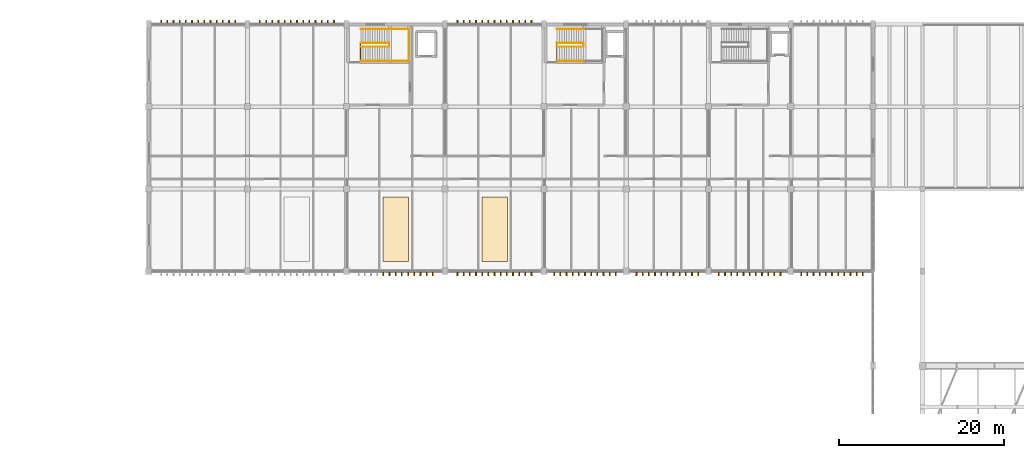
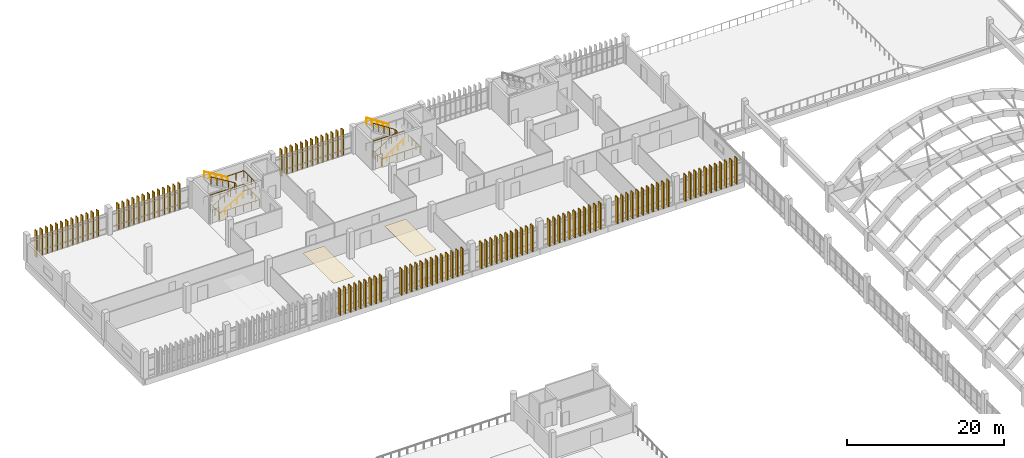
# One storey, part 110 of 111: 105 shading devices, 9 railings, 2 coverings.
"""IFC4 building model written with IfcOpenShell, lengths in metres."""

from ifc_helpers import new_model, si_unit, direction, frame, origin, origin_2d, place, context, subcontext, project, spatial, polyline, rectangle, circle, outline, extrude, material, layer, layer_set, type_object, element, save


model = new_model("IFC4")

# Units and contexts
model_context = context("Model", 3, precision=1e-05, world=origin(), true_north=direction((0.0, 1.0)))
body_context = subcontext(model_context, "Body", "Model", "MODEL_VIEW")
ifc_project = project(units=[si_unit("LENGTHUNIT", "METRE"), si_unit("AREAUNIT", "SQUARE_METRE"), si_unit("VOLUMEUNIT", "CUBIC_METRE"), si_unit("PLANEANGLEUNIT", "RADIAN"), si_unit("MASSUNIT", "GRAM", prefix="KILO")], contexts=[model_context])

# Site, building, storey
site_placement = place(None, origin())
site = spatial("IfcSite", under=ifc_project, at=site_placement, CompositionType="ELEMENT")
building_placement = place(site_placement, origin())
building = spatial("IfcBuilding", under=site, at=building_placement, Name="Mersad Railyard Sports Hall", CompositionType="ELEMENT")
storey_placement = place(building_placement, frame((0.0, 0.0, 9.0)))
storey = spatial("IfcBuildingStorey", under=building, at=storey_placement, Name="L02", CompositionType="ELEMENT", Elevation=9.0)

# Coverings
ifc_material_1 = material(Name="Gypsum plasterboard", Category="gypsum")
ifc_layer = layer(ifc_material_1, 0.02490234375)
ifc_layer_set = layer_set([ifc_layer], Name="Gypsum plasterboard")
covering_type = type_object("IfcCoveringType", Name="ARC-CV-CL01", PredefinedType="CEILING", material=ifc_layer_set)
covering_1_placement = place(storey_placement, frame((0.0, 0.0, 3.85498046875)))
element("IfcCovering", 1, at=covering_1_placement, inside=storey, type_object=covering_type, Name="Acoustic ceiling panel 008", PredefinedType="CEILING", context=body_context, shape_type="SweptSolid", body=[
    extrude(outline(polyline([(71.449951171875, 86.199951171875), (74.550048828125, 86.199951171875), (74.550048828125, 94.0), (71.449951171875, 94.0), (71.449951171875, 86.199951171875)])), origin(), (0.0, 0.0, 1.0), 0.02490234375),
])
covering_2_placement = place(storey_placement, frame((0.0, 0.0, 3.85498046875)))
element("IfcCovering", 2, at=covering_2_placement, inside=storey, type_object=covering_type, Name="Acoustic ceiling panel 009", PredefinedType="CEILING", context=body_context, shape_type="SweptSolid", body=[
    extrude(outline(polyline([(83.449951171875, 86.199951171875), (86.550048828125, 86.199951171875), (86.550048828125, 94.0), (83.449951171875, 94.0), (83.449951171875, 86.199951171875)])), origin(), (0.0, 0.0, 1.0), 0.02490234375),
])

# Railings
ifc_material_2 = material(Name="Steel S355", Category="steel")
railing_type_1 = type_object("IfcRailingType", Name="ARC-RL-GR01", PredefinedType="GUARDRAIL", material=ifc_material_2)
railing_1_placement = place(storey_placement, frame((68.7099609375, 112.7099609375, 0.0)))
element("IfcRailing", 3, at=railing_1_placement, inside=storey, type_object=railing_type_1, Name="Interior guard GR01-0015", PredefinedType="GUARDRAIL", context=body_context, shape_type="SweptSolid", body=[
    extrude(circle(Radius=0.02392578125, at=origin_2d()), frame((0.0, 0.0, 1.09619140625), z_axis=(0.0, -1.0, 0.0), x_axis=(1.0, 0.0, 0.0)), (0.0, 0.0, 1.0), 2.18994140625),
    extrude(circle(Radius=0.02392578125, at=origin_2d()), frame((0.0, -2.18994140625, 1.09619140625), z_axis=(1.0, 0.0, 0.0), x_axis=(0.0, 1.0, 0.0)), (0.0, 0.0, 1.0), 5.919921875),
    extrude(circle(Radius=0.02392578125, at=origin_2d()), frame((5.919921875, -2.18994140625, 1.09619140625), z_axis=(0.0, 1.0, 0.0), x_axis=(-1.0, 0.0, 0.0)), (0.0, 0.0, 1.0), 3.9599609375),
    extrude(circle(Radius=0.02392578125, at=origin_2d()), frame((5.919921875, 1.77001953125, 1.09619140625), z_axis=(-1.0, 0.0, 0.0), x_axis=(0.0, -1.0, 0.0)), (0.0, 0.0, 1.0), 5.919921875),
    extrude(circle(Radius=0.02099609375, at=origin_2d()), origin(), (0.0, 0.0, 1.0), 1.072021484375),
    extrude(circle(Radius=0.02099609375, at=origin_2d()), frame((0.0, -1.094970703125, 0.0)), (0.0, 0.0, 1.0), 1.072021484375),
    extrude(circle(Radius=0.02099609375, at=origin_2d()), frame((0.0, -2.18994140625, 0.0)), (0.0, 0.0, 1.0), 1.072021484375),
    extrude(circle(Radius=0.02099609375, at=origin_2d()), frame((1.18408203125, -2.18994140625, 0.0)), (0.0, 0.0, 1.0), 1.072021484375),
    extrude(circle(Radius=0.02099609375, at=origin_2d()), frame((2.367919921875, -2.18994140625, 0.0)), (0.0, 0.0, 1.0), 1.072021484375),
    extrude(circle(Radius=0.02099609375, at=origin_2d()), frame((3.552001953125, -2.18994140625, 0.0)), (0.0, 0.0, 1.0), 1.072021484375),
    extrude(circle(Radius=0.02099609375, at=origin_2d()), frame((4.73583984375, -2.18994140625, 0.0)), (0.0, 0.0, 1.0), 1.072021484375),
    extrude(circle(Radius=0.02099609375, at=origin_2d()), frame((5.919921875, -2.18994140625, 0.0)), (0.0, 0.0, 1.0), 1.072021484375),
    extrude(circle(Radius=0.02099609375, at=origin_2d()), frame((5.919921875, -1.199951171875, 0.0)), (0.0, 0.0, 1.0), 1.072021484375),
    extrude(circle(Radius=0.02099609375, at=origin_2d()), frame((5.919921875, -0.2099609375, 0.0)), (0.0, 0.0, 1.0), 1.072021484375),
    extrude(circle(Radius=0.02099609375, at=origin_2d()), frame((5.919921875, 0.780029296875, 0.0)), (0.0, 0.0, 1.0), 1.072021484375),
    extrude(circle(Radius=0.02099609375, at=origin_2d()), frame((5.919921875, 1.77001953125, 0.0)), (0.0, 0.0, 1.0), 1.072021484375),
    extrude(circle(Radius=0.02099609375, at=origin_2d()), frame((4.73583984375, 1.77001953125, 0.0)), (0.0, 0.0, 1.0), 1.072021484375),
    extrude(circle(Radius=0.02099609375, at=origin_2d()), frame((3.552001953125, 1.77001953125, 0.0)), (0.0, 0.0, 1.0), 1.072021484375),
    extrude(circle(Radius=0.02099609375, at=origin_2d()), frame((2.367919921875, 1.77001953125, 0.0)), (0.0, 0.0, 1.0), 1.072021484375),
    extrude(circle(Radius=0.02099609375, at=origin_2d()), frame((1.18408203125, 1.77001953125, 0.0)), (0.0, 0.0, 1.0), 1.072021484375),
    extrude(circle(Radius=0.02099609375, at=origin_2d()), frame((0.0, 1.77001953125, 0.0)), (0.0, 0.0, 1.0), 1.072021484375),
])
railing_2_placement = place(storey_placement, frame((68.75, 112.27001953125, 0.0)))
element("IfcRailing", 4, at=railing_2_placement, inside=storey, type_object=railing_type_1, Name="Interior guard GR01-0018", PredefinedType="GUARDRAIL", context=body_context, shape_type="SweptSolid", body=[
    extrude(circle(Radius=0.02392578125, at=origin_2d()), frame((0.0, 0.0, 1.09619140625), z_axis=(0.854592336598, 0.0, 0.519299468735), x_axis=(0.0, 1.0, 0.0)), (0.0, 0.0, 1.0), 4.044189453125),
    extrude(circle(Radius=0.02392578125, at=origin_2d()), frame((3.4560546875, 0.0, 3.1962890625), z_axis=(0.0, 1.0, 0.0), x_axis=(-1.0, 0.0, 0.0)), (0.0, 0.0, 1.0), 0.4599609375),
    extrude(circle(Radius=0.02392578125, at=origin_2d()), frame((3.4560546875, 0.4599609375, 3.1962890625), z_axis=(-0.854619127694, 0.0, 0.519255377034), x_axis=(0.0, -1.0, 0.0)), (0.0, 0.0, 1.0), 4.0439453125),
    extrude(circle(Radius=0.02099609375, at=origin_2d()), origin(), (0.0, 0.0, 1.0), 1.072021484375),
    extrude(circle(Radius=0.02099609375, at=origin_2d()), frame((0.864013671875, 0.0, 0.52490234375)), (0.0, 0.0, 1.0), 1.072021484375),
    extrude(circle(Radius=0.02099609375, at=origin_2d()), frame((1.72802734375, 0.0, 1.050048828125)), (0.0, 0.0, 1.0), 1.072021484375),
    extrude(circle(Radius=0.02099609375, at=origin_2d()), frame((2.592041015625, 0.0, 1.5751953125)), (0.0, 0.0, 1.0), 1.072021484375),
    extrude(circle(Radius=0.02099609375, at=origin_2d()), frame((3.4560546875, 0.0, 2.10009765625)), (0.0, 0.0, 1.0), 1.072021484375),
    extrude(circle(Radius=0.02099609375, at=origin_2d()), frame((3.4560546875, 0.4599609375, 2.10009765625)), (0.0, 0.0, 1.0), 1.072021484375),
    extrude(circle(Radius=0.02099609375, at=origin_2d()), frame((2.592041015625, 0.4599609375, 2.625)), (0.0, 0.0, 1.0), 1.072021484375),
    extrude(circle(Radius=0.02099609375, at=origin_2d()), frame((1.72802734375, 0.4599609375, 3.14990234375)), (0.0, 0.0, 1.0), 1.072021484375),
    extrude(circle(Radius=0.02099609375, at=origin_2d()), frame((0.864013671875, 0.4599609375, 3.675048828125)), (0.0, 0.0, 1.0), 1.072021484375),
    extrude(circle(Radius=0.02099609375, at=origin_2d()), frame((0.0, 0.4599609375, 4.199951171875)), (0.0, 0.0, 1.0), 1.072021484375),
])
railing_3_placement = place(storey_placement, frame((72.2060546875, 110.56005859375, 2.10009765625)))
element("IfcRailing", 5, at=railing_3_placement, inside=storey, type_object=railing_type_1, Name="Interior guard GR01-0019", PredefinedType="GUARDRAIL", context=body_context, shape_type="SweptSolid", body=[
    extrude(circle(Radius=0.02392578125, at=origin_2d()), frame((0.0, 0.0, 1.09619140625), z_axis=(1.0, 0.0, 0.0), x_axis=(0.0, 1.0, 0.0)), (0.0, 0.0, 1.0), 2.384033203125),
    extrude(circle(Radius=0.02392578125, at=origin_2d()), frame((2.384033203125, 0.0, 1.09619140625), z_axis=(0.0, 1.0, 0.0), x_axis=(-1.0, 0.0, 0.0)), (0.0, 0.0, 1.0), 3.8798828125),
    extrude(circle(Radius=0.02392578125, at=origin_2d()), frame((2.384033203125, 3.8798828125, 1.09619140625), z_axis=(-1.0, 0.0, 0.0), x_axis=(0.0, -1.0, 0.0)), (0.0, 0.0, 1.0), 2.384033203125),
    extrude(circle(Radius=0.02099609375, at=origin_2d()), origin(), (0.0, 0.0, 1.0), 1.072021484375),
    extrude(circle(Radius=0.02099609375, at=origin_2d()), frame((1.19189453125, 0.0, 0.0)), (0.0, 0.0, 1.0), 1.072021484375),
    extrude(circle(Radius=0.02099609375, at=origin_2d()), frame((2.384033203125, 0.0, 0.0)), (0.0, 0.0, 1.0), 1.072021484375),
    extrude(circle(Radius=0.02099609375, at=origin_2d()), frame((2.384033203125, 0.969970703125, 0.0)), (0.0, 0.0, 1.0), 1.072021484375),
    extrude(circle(Radius=0.02099609375, at=origin_2d()), frame((2.384033203125, 1.93994140625, 0.0)), (0.0, 0.0, 1.0), 1.072021484375),
    extrude(circle(Radius=0.02099609375, at=origin_2d()), frame((2.384033203125, 2.909912109375, 0.0)), (0.0, 0.0, 1.0), 1.072021484375),
    extrude(circle(Radius=0.02099609375, at=origin_2d()), frame((2.384033203125, 3.8798828125, 0.0)), (0.0, 0.0, 1.0), 1.072021484375),
    extrude(circle(Radius=0.02099609375, at=origin_2d()), frame((1.19189453125, 3.8798828125, 0.0)), (0.0, 0.0, 1.0), 1.072021484375),
    extrude(circle(Radius=0.02099609375, at=origin_2d()), frame((0.0, 3.8798828125, 0.0)), (0.0, 0.0, 1.0), 1.072021484375),
])
railing_4_placement = place(storey_placement, frame((92.56005859375, 112.7099609375, 0.0)))
element("IfcRailing", 6, at=railing_4_placement, inside=storey, type_object=railing_type_1, Name="Interior guard GR01-0045", PredefinedType="GUARDRAIL", context=body_context, shape_type="SweptSolid", body=[
    extrude(circle(Radius=0.02392578125, at=origin_2d()), frame((0.0, 0.0, 1.09619140625), z_axis=(0.0, -1.0, 0.0), x_axis=(1.0, 0.0, 0.0)), (0.0, 0.0, 1.0), 2.18994140625),
    extrude(circle(Radius=0.02392578125, at=origin_2d()), frame((0.0, -2.18994140625, 1.09619140625), z_axis=(1.0, 0.0, 0.0), x_axis=(0.0, 1.0, 0.0)), (0.0, 0.0, 1.0), 5.619873046875),
    extrude(circle(Radius=0.02392578125, at=origin_2d()), frame((5.619873046875, -2.18994140625, 1.09619140625), z_axis=(0.0, 1.0, 0.0), x_axis=(-1.0, 0.0, 0.0)), (0.0, 0.0, 1.0), 3.9599609375),
    extrude(circle(Radius=0.02392578125, at=origin_2d()), frame((5.619873046875, 1.77001953125, 1.09619140625), z_axis=(-1.0, 0.0, 0.0), x_axis=(0.0, -1.0, 0.0)), (0.0, 0.0, 1.0), 5.619873046875),
    extrude(circle(Radius=0.02099609375, at=origin_2d()), origin(), (0.0, 0.0, 1.0), 1.072021484375),
    extrude(circle(Radius=0.02099609375, at=origin_2d()), frame((0.0, -1.094970703125, 0.0)), (0.0, 0.0, 1.0), 1.072021484375),
    extrude(circle(Radius=0.02099609375, at=origin_2d()), frame((0.0, -2.18994140625, 0.0)), (0.0, 0.0, 1.0), 1.072021484375),
    extrude(circle(Radius=0.02099609375, at=origin_2d()), frame((1.1240234375, -2.18994140625, 0.0)), (0.0, 0.0, 1.0), 1.072021484375),
    extrude(circle(Radius=0.02099609375, at=origin_2d()), frame((2.248046875, -2.18994140625, 0.0)), (0.0, 0.0, 1.0), 1.072021484375),
    extrude(circle(Radius=0.02099609375, at=origin_2d()), frame((3.371826171875, -2.18994140625, 0.0)), (0.0, 0.0, 1.0), 1.072021484375),
    extrude(circle(Radius=0.02099609375, at=origin_2d()), frame((4.495849609375, -2.18994140625, 0.0)), (0.0, 0.0, 1.0), 1.072021484375),
    extrude(circle(Radius=0.02099609375, at=origin_2d()), frame((5.619873046875, -2.18994140625, 0.0)), (0.0, 0.0, 1.0), 1.072021484375),
    extrude(circle(Radius=0.02099609375, at=origin_2d()), frame((5.619873046875, -1.199951171875, 0.0)), (0.0, 0.0, 1.0), 1.072021484375),
    extrude(circle(Radius=0.02099609375, at=origin_2d()), frame((5.619873046875, -0.2099609375, 0.0)), (0.0, 0.0, 1.0), 1.072021484375),
    extrude(circle(Radius=0.02099609375, at=origin_2d()), frame((5.619873046875, 0.780029296875, 0.0)), (0.0, 0.0, 1.0), 1.072021484375),
    extrude(circle(Radius=0.02099609375, at=origin_2d()), frame((5.619873046875, 1.77001953125, 0.0)), (0.0, 0.0, 1.0), 1.072021484375),
    extrude(circle(Radius=0.02099609375, at=origin_2d()), frame((4.495849609375, 1.77001953125, 0.0)), (0.0, 0.0, 1.0), 1.072021484375),
    extrude(circle(Radius=0.02099609375, at=origin_2d()), frame((3.371826171875, 1.77001953125, 0.0)), (0.0, 0.0, 1.0), 1.072021484375),
    extrude(circle(Radius=0.02099609375, at=origin_2d()), frame((2.248046875, 1.77001953125, 0.0)), (0.0, 0.0, 1.0), 1.072021484375),
    extrude(circle(Radius=0.02099609375, at=origin_2d()), frame((1.1240234375, 1.77001953125, 0.0)), (0.0, 0.0, 1.0), 1.072021484375),
    extrude(circle(Radius=0.02099609375, at=origin_2d()), frame((0.0, 1.77001953125, 0.0)), (0.0, 0.0, 1.0), 1.072021484375),
])
railing_5_placement = place(storey_placement, frame((92.60009765625, 112.27001953125, 0.0)))
element("IfcRailing", 7, at=railing_5_placement, inside=storey, type_object=railing_type_1, Name="Interior guard GR01-0048", PredefinedType="GUARDRAIL", context=body_context, shape_type="SweptSolid", body=[
    extrude(circle(Radius=0.02392578125, at=origin_2d()), frame((0.0, 0.0, 1.09619140625), z_axis=(0.836969613974, 0.0, 0.547249362983), x_axis=(0.0, 1.0, 0.0)), (0.0, 0.0, 1.0), 3.837646484375),
    extrude(circle(Radius=0.02392578125, at=origin_2d()), frame((3.2119140625, 0.0, 3.1962890625), z_axis=(0.0, 1.0, 0.0), x_axis=(-1.0, 0.0, 0.0)), (0.0, 0.0, 1.0), 0.4599609375),
    extrude(circle(Radius=0.02392578125, at=origin_2d()), frame((3.2119140625, 0.4599609375, 3.1962890625), z_axis=(-0.836998753213, 0.0, 0.547204794496), x_axis=(0.0, -1.0, 0.0)), (0.0, 0.0, 1.0), 3.83740234375),
    extrude(circle(Radius=0.02099609375, at=origin_2d()), origin(), (0.0, 0.0, 1.0), 1.072021484375),
    extrude(circle(Radius=0.02099609375, at=origin_2d()), frame((0.802978515625, 0.0, 0.52490234375)), (0.0, 0.0, 1.0), 1.072021484375),
    extrude(circle(Radius=0.02099609375, at=origin_2d()), frame((1.60595703125, 0.0, 1.050048828125)), (0.0, 0.0, 1.0), 1.072021484375),
    extrude(circle(Radius=0.02099609375, at=origin_2d()), frame((2.408935546875, 0.0, 1.5751953125)), (0.0, 0.0, 1.0), 1.072021484375),
    extrude(circle(Radius=0.02099609375, at=origin_2d()), frame((3.2119140625, 0.0, 2.10009765625)), (0.0, 0.0, 1.0), 1.072021484375),
    extrude(circle(Radius=0.02099609375, at=origin_2d()), frame((3.2119140625, 0.4599609375, 2.10009765625)), (0.0, 0.0, 1.0), 1.072021484375),
    extrude(circle(Radius=0.02099609375, at=origin_2d()), frame((2.408935546875, 0.4599609375, 2.625)), (0.0, 0.0, 1.0), 1.072021484375),
    extrude(circle(Radius=0.02099609375, at=origin_2d()), frame((1.60595703125, 0.4599609375, 3.14990234375)), (0.0, 0.0, 1.0), 1.072021484375),
    extrude(circle(Radius=0.02099609375, at=origin_2d()), frame((0.802978515625, 0.4599609375, 3.675048828125)), (0.0, 0.0, 1.0), 1.072021484375),
    extrude(circle(Radius=0.02099609375, at=origin_2d()), frame((0.0, 0.4599609375, 4.199951171875)), (0.0, 0.0, 1.0), 1.072021484375),
])
railing_type_2 = type_object("IfcRailingType", Name="ARC-RL-HR01", PredefinedType="HANDRAIL", material=ifc_material_2)
railing_6_placement = place(storey_placement, frame((68.75, 110.56005859375, 0.0)))
element("IfcRailing", 8, at=railing_6_placement, inside=storey, type_object=railing_type_2, Name="Interior handrail HR01-0016", PredefinedType="HANDRAIL", context=body_context, shape_type="SweptSolid", body=[
    extrude(circle(Radius=0.02392578125, at=origin_2d()), frame((0.0, 0.0, 0.89599609375), z_axis=(0.854592336598, 0.0, 0.519299468735), x_axis=(0.0, 1.0, 0.0)), (0.0, 0.0, 1.0), 4.044189453125),
    extrude(circle(Radius=0.02099609375, at=origin_2d()), origin(), (0.0, 0.0, 1.0), 0.871826171875),
    extrude(circle(Radius=0.02099609375, at=origin_2d()), frame((0.864013671875, 0.0, 0.52490234375)), (0.0, 0.0, 1.0), 0.871826171875),
    extrude(circle(Radius=0.02099609375, at=origin_2d()), frame((1.72802734375, 0.0, 1.050048828125)), (0.0, 0.0, 1.0), 0.871826171875),
    extrude(circle(Radius=0.02099609375, at=origin_2d()), frame((2.592041015625, 0.0, 1.5751953125)), (0.0, 0.0, 1.0), 0.871826171875),
    extrude(circle(Radius=0.02099609375, at=origin_2d()), frame((3.4560546875, 0.0, 2.10009765625)), (0.0, 0.0, 1.0), 0.871826171875),
])
railing_7_placement = place(storey_placement, frame((72.2060546875, 114.43994140625, 2.10009765625)))
element("IfcRailing", 9, at=railing_7_placement, inside=storey, type_object=railing_type_2, Name="Interior handrail HR01-0017", PredefinedType="HANDRAIL", context=body_context, shape_type="SweptSolid", body=[
    extrude(circle(Radius=0.02392578125, at=origin_2d()), frame((0.0, 0.0, 0.89599609375), z_axis=(-0.854619127694, 0.0, 0.519255377034), x_axis=(0.0, -1.0, 0.0)), (0.0, 0.0, 1.0), 4.0439453125),
    extrude(circle(Radius=0.02099609375, at=origin_2d()), origin(), (0.0, 0.0, 1.0), 0.871826171875),
    extrude(circle(Radius=0.02099609375, at=origin_2d()), frame((-0.864013671875, 0.0, 0.52490234375)), (0.0, 0.0, 1.0), 0.871826171875),
    extrude(circle(Radius=0.02099609375, at=origin_2d()), frame((-1.72802734375, 0.0, 1.0498046875)), (0.0, 0.0, 1.0), 0.871826171875),
    extrude(circle(Radius=0.02099609375, at=origin_2d()), frame((-2.592041015625, 0.0, 1.574951171875)), (0.0, 0.0, 1.0), 0.871826171875),
    extrude(circle(Radius=0.02099609375, at=origin_2d()), frame((-3.4560546875, 0.0, 2.099853515625)), (0.0, 0.0, 1.0), 0.871826171875),
])
railing_8_placement = place(storey_placement, frame((92.60009765625, 110.56005859375, 0.0)))
element("IfcRailing", 10, at=railing_8_placement, inside=storey, type_object=railing_type_2, Name="Interior handrail HR01-0046", PredefinedType="HANDRAIL", context=body_context, shape_type="SweptSolid", body=[
    extrude(circle(Radius=0.02392578125, at=origin_2d()), frame((0.0, 0.0, 0.89599609375), z_axis=(0.836969613974, 0.0, 0.547249362983), x_axis=(0.0, 1.0, 0.0)), (0.0, 0.0, 1.0), 3.837646484375),
    extrude(circle(Radius=0.02099609375, at=origin_2d()), origin(), (0.0, 0.0, 1.0), 0.871826171875),
    extrude(circle(Radius=0.02099609375, at=origin_2d()), frame((0.802978515625, 0.0, 0.52490234375)), (0.0, 0.0, 1.0), 0.871826171875),
    extrude(circle(Radius=0.02099609375, at=origin_2d()), frame((1.60595703125, 0.0, 1.050048828125)), (0.0, 0.0, 1.0), 0.871826171875),
    extrude(circle(Radius=0.02099609375, at=origin_2d()), frame((2.408935546875, 0.0, 1.5751953125)), (0.0, 0.0, 1.0), 0.871826171875),
    extrude(circle(Radius=0.02099609375, at=origin_2d()), frame((3.2119140625, 0.0, 2.10009765625)), (0.0, 0.0, 1.0), 0.871826171875),
])
railing_9_placement = place(storey_placement, frame((95.81201171875, 114.43994140625, 2.10009765625)))
element("IfcRailing", 11, at=railing_9_placement, inside=storey, type_object=railing_type_2, Name="Interior handrail HR01-0047", PredefinedType="HANDRAIL", context=body_context, shape_type="SweptSolid", body=[
    extrude(circle(Radius=0.02392578125, at=origin_2d()), frame((0.0, 0.0, 0.89599609375), z_axis=(-0.836998753213, 0.0, 0.547204794496), x_axis=(0.0, -1.0, 0.0)), (0.0, 0.0, 1.0), 3.83740234375),
    extrude(circle(Radius=0.02099609375, at=origin_2d()), origin(), (0.0, 0.0, 1.0), 0.871826171875),
    extrude(circle(Radius=0.02099609375, at=origin_2d()), frame((-0.802978515625, 0.0, 0.52490234375)), (0.0, 0.0, 1.0), 0.871826171875),
    extrude(circle(Radius=0.02099609375, at=origin_2d()), frame((-1.60595703125, 0.0, 1.0498046875)), (0.0, 0.0, 1.0), 0.871826171875),
    extrude(circle(Radius=0.02099609375, at=origin_2d()), frame((-2.408935546875, 0.0, 1.574951171875)), (0.0, 0.0, 1.0), 0.871826171875),
    extrude(circle(Radius=0.02099609375, at=origin_2d()), frame((-3.2119140625, 0.0, 2.099853515625)), (0.0, 0.0, 1.0), 0.871826171875),
])

# Shading devices
ifc_material_3 = material(Name="Precast concrete C45/55", Category="concrete")
shading_device_type = type_object("IfcShadingDeviceType", Name="ARC-SH-FN01", PredefinedType="USERDEFINED", material=ifc_material_3)
for number, where, z_axis, x_axis, name in (
    (12, (44.5, 115.25, -0.10009765625), (0.0, 0.0, 1.0), (1.0, 0.0, 0.0), "Precast sun fin FN01-0324"),
    (13, (45.25, 115.25, -0.10009765625), (0.0, 0.0, 1.0), (1.0, 0.0, 0.0), "Precast sun fin FN01-0325"),
    (14, (46.0, 115.25, -0.10009765625), (0.0, 0.0, 1.0), (1.0, 0.0, 0.0), "Precast sun fin FN01-0326"),
    (15, (46.75, 115.25, -0.10009765625), (0.0, 0.0, 1.0), (1.0, 0.0, 0.0), "Precast sun fin FN01-0327"),
    (16, (47.5, 115.25, -0.10009765625), (0.0, 0.0, 1.0), (1.0, 0.0, 0.0), "Precast sun fin FN01-0328"),
    (17, (48.25, 115.25, -0.10009765625), (0.0, 0.0, 1.0), (1.0, 0.0, 0.0), "Precast sun fin FN01-0329"),
    (18, (49.0, 115.25, -0.10009765625), (0.0, 0.0, 1.0), (1.0, 0.0, 0.0), "Precast sun fin FN01-0330"),
    (19, (49.75, 115.25, -0.10009765625), (0.0, 0.0, 1.0), (1.0, 0.0, 0.0), "Precast sun fin FN01-0331"),
    (20, (50.5, 115.25, -0.10009765625), (0.0, 0.0, 1.0), (1.0, 0.0, 0.0), "Precast sun fin FN01-0332"),
    (21, (51.25, 115.25, -0.10009765625), (0.0, 0.0, 1.0), (1.0, 0.0, 0.0), "Precast sun fin FN01-0333"),
    (22, (52.0, 115.25, -0.10009765625), (0.0, 0.0, 1.0), (1.0, 0.0, 0.0), "Precast sun fin FN01-0334"),
    (23, (52.75, 115.25, -0.10009765625), (0.0, 0.0, 1.0), (1.0, 0.0, 0.0), "Precast sun fin FN01-0335"),
    (24, (53.5, 115.25, -0.10009765625), (0.0, 0.0, 1.0), (1.0, 0.0, 0.0), "Precast sun fin FN01-0336"),
    (25, (56.5, 115.25, -0.10009765625), (0.0, 0.0, 1.0), (1.0, 0.0, 0.0), "Precast sun fin FN01-0337"),
    (26, (57.25, 115.25, -0.10009765625), (0.0, 0.0, 1.0), (1.0, 0.0, 0.0), "Precast sun fin FN01-0338"),
    (27, (58.0, 115.25, -0.10009765625), (0.0, 0.0, 1.0), (1.0, 0.0, 0.0), "Precast sun fin FN01-0339"),
    (28, (58.75, 115.25, -0.10009765625), (0.0, 0.0, 1.0), (1.0, 0.0, 0.0), "Precast sun fin FN01-0340"),
    (29, (59.5, 115.25, -0.10009765625), (0.0, 0.0, 1.0), (1.0, 0.0, 0.0), "Precast sun fin FN01-0341"),
    (30, (60.25, 115.25, -0.10009765625), (0.0, 0.0, 1.0), (1.0, 0.0, 0.0), "Precast sun fin FN01-0342"),
    (31, (61.0, 115.25, -0.10009765625), (0.0, 0.0, 1.0), (1.0, 0.0, 0.0), "Precast sun fin FN01-0343"),
    (32, (61.75, 115.25, -0.10009765625), (0.0, 0.0, 1.0), (1.0, 0.0, 0.0), "Precast sun fin FN01-0344"),
    (33, (62.5, 115.25, -0.10009765625), (0.0, 0.0, 1.0), (1.0, 0.0, 0.0), "Precast sun fin FN01-0345"),
    (34, (63.25, 115.25, -0.10009765625), (0.0, 0.0, 1.0), (1.0, 0.0, 0.0), "Precast sun fin FN01-0346"),
    (35, (64.0, 115.25, -0.10009765625), (0.0, 0.0, 1.0), (1.0, 0.0, 0.0), "Precast sun fin FN01-0347"),
    (36, (64.75, 115.25, -0.10009765625), (0.0, 0.0, 1.0), (1.0, 0.0, 0.0), "Precast sun fin FN01-0348"),
    (37, (65.5, 115.25, -0.10009765625), (0.0, 0.0, 1.0), (1.0, 0.0, 0.0), "Precast sun fin FN01-0349"),
    (38, (80.5, 115.25, -0.10009765625), (0.0, 0.0, 1.0), (1.0, 0.0, 0.0), "Precast sun fin FN01-0350"),
    (39, (81.25, 115.25, -0.10009765625), (0.0, 0.0, 1.0), (1.0, 0.0, 0.0), "Precast sun fin FN01-0351"),
    (40, (82.0, 115.25, -0.10009765625), (0.0, 0.0, 1.0), (1.0, 0.0, 0.0), "Precast sun fin FN01-0352"),
    (41, (82.75, 115.25, -0.10009765625), (0.0, 0.0, 1.0), (1.0, 0.0, 0.0), "Precast sun fin FN01-0353"),
    (42, (83.5, 115.25, -0.10009765625), (0.0, 0.0, 1.0), (1.0, 0.0, 0.0), "Precast sun fin FN01-0354"),
    (43, (84.25, 115.25, -0.10009765625), (0.0, 0.0, 1.0), (1.0, 0.0, 0.0), "Precast sun fin FN01-0355"),
    (44, (85.0, 115.25, -0.10009765625), (0.0, 0.0, 1.0), (1.0, 0.0, 0.0), "Precast sun fin FN01-0356"),
    (45, (85.75, 115.25, -0.10009765625), (0.0, 0.0, 1.0), (1.0, 0.0, 0.0), "Precast sun fin FN01-0357"),
    (46, (86.5, 115.25, -0.10009765625), (0.0, 0.0, 1.0), (1.0, 0.0, 0.0), "Precast sun fin FN01-0358"),
    (47, (87.25, 115.25, -0.10009765625), (0.0, 0.0, 1.0), (1.0, 0.0, 0.0), "Precast sun fin FN01-0359"),
    (48, (88.0, 115.25, -0.10009765625), (0.0, 0.0, 1.0), (1.0, 0.0, 0.0), "Precast sun fin FN01-0360"),
    (49, (88.75, 115.25, -0.10009765625), (0.0, 0.0, 1.0), (1.0, 0.0, 0.0), "Precast sun fin FN01-0361"),
    (50, (89.5, 115.25, -0.10009765625), (0.0, 0.0, 1.0), (1.0, 0.0, 0.0), "Precast sun fin FN01-0362"),
    (51, (71.5, 84.75, -0.10009765625), (0.0, 0.0, 1.0), (1.0, 0.0, 0.0), "Precast sun fin FN01-0415"),
    (52, (72.25, 84.75, -0.10009765625), (0.0, 0.0, 1.0), (1.0, 0.0, 0.0), "Precast sun fin FN01-0416"),
    (53, (73.0, 84.75, -0.10009765625), (0.0, 0.0, 1.0), (1.0, 0.0, 0.0), "Precast sun fin FN01-0417"),
    (54, (73.75, 84.75, -0.10009765625), (0.0, 0.0, 1.0), (1.0, 0.0, 0.0), "Precast sun fin FN01-0418"),
    (55, (74.5, 84.75, -0.10009765625), (0.0, 0.0, 1.0), (1.0, 0.0, 0.0), "Precast sun fin FN01-0419"),
    (56, (75.25, 84.75, -0.10009765625), (0.0, 0.0, 1.0), (1.0, 0.0, 0.0), "Precast sun fin FN01-0420"),
    (57, (76.0, 84.75, -0.10009765625), (0.0, 0.0, 1.0), (1.0, 0.0, 0.0), "Precast sun fin FN01-0421"),
    (58, (76.75, 84.75, -0.10009765625), (0.0, 0.0, 1.0), (1.0, 0.0, 0.0), "Precast sun fin FN01-0422"),
    (59, (77.5, 84.75, -0.10009765625), (0.0, 0.0, 1.0), (1.0, 0.0, 0.0), "Precast sun fin FN01-0423"),
    (60, (80.5, 84.75, -0.10009765625), (0.0, 0.0, 1.0), (1.0, 0.0, 0.0), "Precast sun fin FN01-0424"),
    (61, (81.25, 84.75, -0.10009765625), (0.0, 0.0, 1.0), (1.0, 0.0, 0.0), "Precast sun fin FN01-0425"),
    (62, (82.0, 84.75, -0.10009765625), (0.0, 0.0, 1.0), (1.0, 0.0, 0.0), "Precast sun fin FN01-0426"),
    (63, (82.75, 84.75, -0.10009765625), (0.0, 0.0, 1.0), (1.0, 0.0, 0.0), "Precast sun fin FN01-0427"),
    (64, (83.5, 84.75, -0.10009765625), (0.0, 0.0, 1.0), (1.0, 0.0, 0.0), "Precast sun fin FN01-0428"),
    (65, (84.25, 84.75, -0.10009765625), (0.0, 0.0, 1.0), (1.0, 0.0, 0.0), "Precast sun fin FN01-0429"),
    (66, (85.0, 84.75, -0.10009765625), (0.0, 0.0, 1.0), (1.0, 0.0, 0.0), "Precast sun fin FN01-0430"),
    (67, (85.75, 84.75, -0.10009765625), (0.0, 0.0, 1.0), (1.0, 0.0, 0.0), "Precast sun fin FN01-0431"),
    (68, (86.5, 84.75, -0.10009765625), (0.0, 0.0, 1.0), (1.0, 0.0, 0.0), "Precast sun fin FN01-0432"),
    (69, (87.25, 84.75, -0.10009765625), (0.0, 0.0, 1.0), (1.0, 0.0, 0.0), "Precast sun fin FN01-0433"),
    (70, (88.0, 84.75, -0.10009765625), (0.0, 0.0, 1.0), (1.0, 0.0, 0.0), "Precast sun fin FN01-0434"),
    (71, (88.75, 84.75, -0.10009765625), (0.0, 0.0, 1.0), (1.0, 0.0, 0.0), "Precast sun fin FN01-0435"),
    (72, (89.5, 84.75, -0.10009765625), (0.0, 0.0, 1.0), (1.0, 0.0, 0.0), "Precast sun fin FN01-0436"),
    (73, (92.25, 84.75, -0.10009765625), (0.0, 0.0, 1.0), (1.0, 0.0, 0.0), "Precast sun fin FN01-0437"),
    (74, (93.0, 84.75, -0.10009765625), (0.0, 0.0, 1.0), (1.0, 0.0, 0.0), "Precast sun fin FN01-0438"),
    (75, (93.75, 84.75, -0.10009765625), (0.0, 0.0, 1.0), (1.0, 0.0, 0.0), "Precast sun fin FN01-0439"),
    (76, (94.5, 84.75, -0.10009765625), (0.0, 0.0, 1.0), (1.0, 0.0, 0.0), "Precast sun fin FN01-0440"),
    (77, (95.25, 84.75, -0.10009765625), (0.0, 0.0, 1.0), (1.0, 0.0, 0.0), "Precast sun fin FN01-0441"),
    (78, (96.0, 84.75, -0.10009765625), (0.0, 0.0, 1.0), (1.0, 0.0, 0.0), "Precast sun fin FN01-0442"),
    (79, (96.75, 84.75, -0.10009765625), (0.0, 0.0, 1.0), (1.0, 0.0, 0.0), "Precast sun fin FN01-0443"),
    (80, (97.5, 84.75, -0.10009765625), (0.0, 0.0, 1.0), (1.0, 0.0, 0.0), "Precast sun fin FN01-0444"),
    (81, (98.25, 84.75, -0.10009765625), (0.0, 0.0, 1.0), (1.0, 0.0, 0.0), "Precast sun fin FN01-0445"),
    (82, (99.0, 84.75, -0.10009765625), (0.0, 0.0, 1.0), (1.0, 0.0, 0.0), "Precast sun fin FN01-0446"),
    (83, (99.75, 84.75, -0.10009765625), (0.0, 0.0, 1.0), (1.0, 0.0, 0.0), "Precast sun fin FN01-0447"),
    (84, (102.25, 84.75, -0.10009765625), (0.0, 0.0, 1.0), (1.0, 0.0, 0.0), "Precast sun fin FN01-0448"),
    (85, (103.0, 84.75, -0.10009765625), (0.0, 0.0, 1.0), (1.0, 0.0, 0.0), "Precast sun fin FN01-0449"),
    (86, (103.75, 84.75, -0.10009765625), (0.0, 0.0, 1.0), (1.0, 0.0, 0.0), "Precast sun fin FN01-0450"),
    (87, (104.5, 84.75, -0.10009765625), (0.0, 0.0, 1.0), (1.0, 0.0, 0.0), "Precast sun fin FN01-0451"),
    (88, (105.25, 84.75, -0.10009765625), (0.0, 0.0, 1.0), (1.0, 0.0, 0.0), "Precast sun fin FN01-0452"),
    (89, (106.0, 84.75, -0.10009765625), (0.0, 0.0, 1.0), (1.0, 0.0, 0.0), "Precast sun fin FN01-0453"),
    (90, (106.75, 84.75, -0.10009765625), (0.0, 0.0, 1.0), (1.0, 0.0, 0.0), "Precast sun fin FN01-0454"),
    (91, (107.5, 84.75, -0.10009765625), (0.0, 0.0, 1.0), (1.0, 0.0, 0.0), "Precast sun fin FN01-0455"),
    (92, (108.25, 84.75, -0.10009765625), (0.0, 0.0, 1.0), (1.0, 0.0, 0.0), "Precast sun fin FN01-0456"),
    (93, (109.0, 84.75, -0.10009765625), (0.0, 0.0, 1.0), (1.0, 0.0, 0.0), "Precast sun fin FN01-0457"),
    (94, (109.75, 84.75, -0.10009765625), (0.0, 0.0, 1.0), (1.0, 0.0, 0.0), "Precast sun fin FN01-0458"),
    (95, (112.25, 84.75, -0.10009765625), (0.0, 0.0, 1.0), (1.0, 0.0, 0.0), "Precast sun fin FN01-0459"),
    (96, (113.0, 84.75, -0.10009765625), (0.0, 0.0, 1.0), (1.0, 0.0, 0.0), "Precast sun fin FN01-0460"),
    (97, (113.75, 84.75, -0.10009765625), (0.0, 0.0, 1.0), (1.0, 0.0, 0.0), "Precast sun fin FN01-0461"),
    (98, (114.5, 84.75, -0.10009765625), (0.0, 0.0, 1.0), (1.0, 0.0, 0.0), "Precast sun fin FN01-0462"),
    (99, (115.25, 84.75, -0.10009765625), (0.0, 0.0, 1.0), (1.0, 0.0, 0.0), "Precast sun fin FN01-0463"),
    (100, (116.0, 84.75, -0.10009765625), (0.0, 0.0, 1.0), (1.0, 0.0, 0.0), "Precast sun fin FN01-0464"),
    (101, (116.75, 84.75, -0.10009765625), (0.0, 0.0, 1.0), (1.0, 0.0, 0.0), "Precast sun fin FN01-0465"),
    (102, (117.5, 84.75, -0.10009765625), (0.0, 0.0, 1.0), (1.0, 0.0, 0.0), "Precast sun fin FN01-0466"),
    (103, (118.25, 84.75, -0.10009765625), (0.0, 0.0, 1.0), (1.0, 0.0, 0.0), "Precast sun fin FN01-0467"),
    (104, (119.0, 84.75, -0.10009765625), (0.0, 0.0, 1.0), (1.0, 0.0, 0.0), "Precast sun fin FN01-0468"),
    (105, (119.75, 84.75, -0.10009765625), (0.0, 0.0, 1.0), (1.0, 0.0, 0.0), "Precast sun fin FN01-0469"),
    (106, (122.25, 84.75, -0.10009765625), (0.0, 0.0, 1.0), (1.0, 0.0, 0.0), "Precast sun fin FN01-0470"),
    (107, (123.0, 84.75, -0.10009765625), (0.0, 0.0, 1.0), (1.0, 0.0, 0.0), "Precast sun fin FN01-0471"),
    (108, (123.75, 84.75, -0.10009765625), (0.0, 0.0, 1.0), (1.0, 0.0, 0.0), "Precast sun fin FN01-0472"),
    (109, (124.5, 84.75, -0.10009765625), (0.0, 0.0, 1.0), (1.0, 0.0, 0.0), "Precast sun fin FN01-0473"),
    (110, (125.25, 84.75, -0.10009765625), (0.0, 0.0, 1.0), (1.0, 0.0, 0.0), "Precast sun fin FN01-0474"),
    (111, (126.0, 84.75, -0.10009765625), (0.0, 0.0, 1.0), (1.0, 0.0, 0.0), "Precast sun fin FN01-0475"),
    (112, (126.75, 84.75, -0.10009765625), (0.0, 0.0, 1.0), (1.0, 0.0, 0.0), "Precast sun fin FN01-0476"),
    (113, (127.5, 84.75, -0.10009765625), (0.0, 0.0, 1.0), (1.0, 0.0, 0.0), "Precast sun fin FN01-0477"),
    (114, (128.25, 84.75, -0.10009765625), (0.0, 0.0, 1.0), (1.0, 0.0, 0.0), "Precast sun fin FN01-0478"),
    (115, (129.0, 84.75, -0.10009765625), (0.0, 0.0, 1.0), (1.0, 0.0, 0.0), "Precast sun fin FN01-0479"),
    (116, (129.75, 84.75, -0.10009765625), (0.0, 0.0, 1.0), (1.0, 0.0, 0.0), "Precast sun fin FN01-0480"),
):
    element("IfcShadingDevice", number, at=place(storey_placement, frame(where, z_axis=z_axis, x_axis=x_axis)), inside=storey, type_object=shading_device_type, Name=name, ObjectType="FIN", PredefinedType="USERDEFINED", context=body_context, shape_type="SweptSolid", body=[
        extrude(rectangle(XDim=0.139892578125, YDim=0.550048828125, at=origin_2d()), origin(), (0.0, 0.0, 1.0), 4.080078125),
    ])

save(model, "model.ifc")
